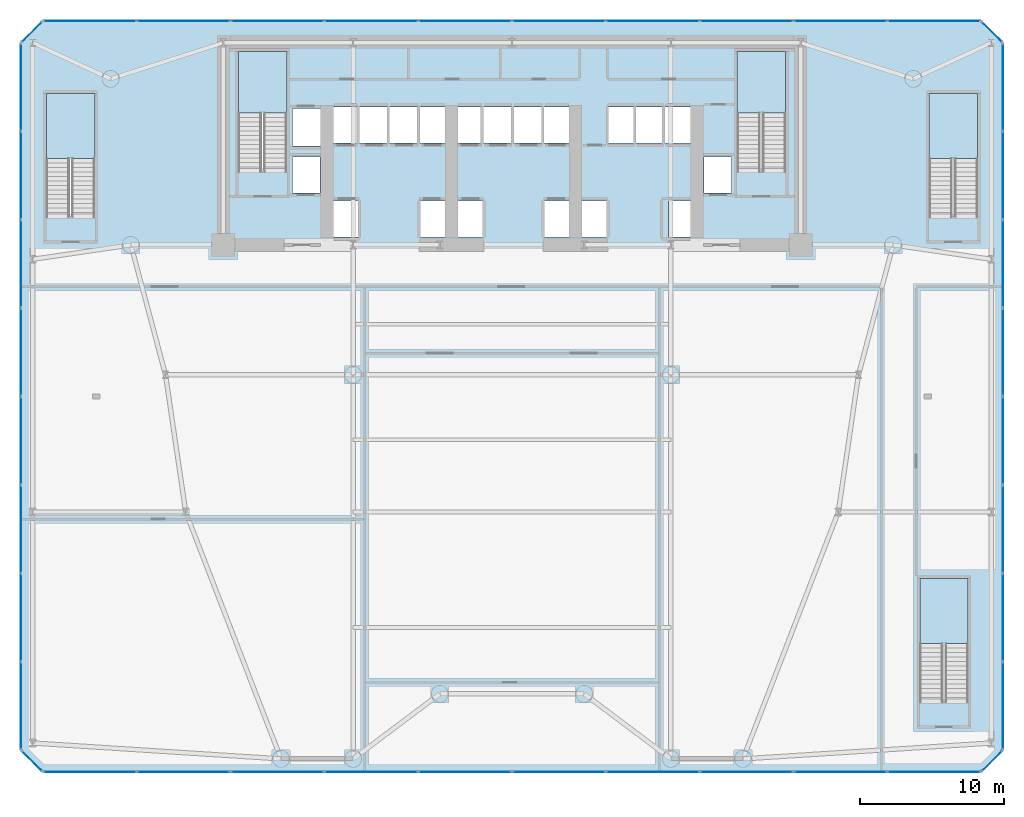
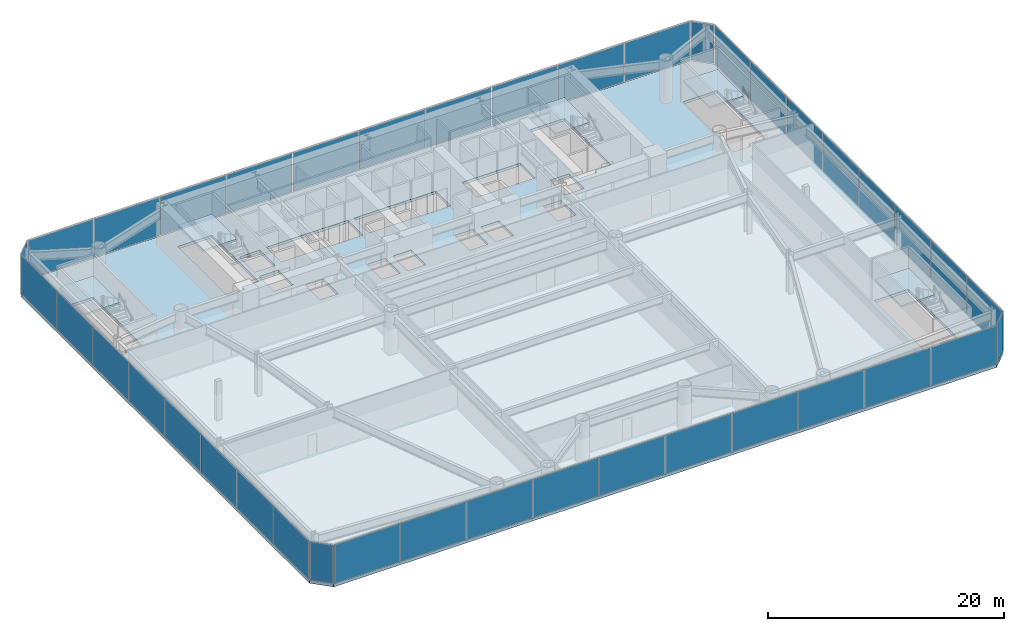
# One storey, part 12 of 24: 40 plates, 6 slabs, 13 elements without a shape of their own.
"""IFC4 building model written with IfcOpenShell, lengths in metres."""

from ifc_helpers import new_model, si_unit, direction, frame, origin, origin_2d, place, context, subcontext, project, spatial, polyline, rectangle, outline, extrude, source, transform, mapped, material, layer, layer_set, type_object, element, aggregate, save


model = new_model("IFC4")

# Units and contexts
model_context = context("Model", 3, precision=1e-05, world=origin(), true_north=direction((0.0, 1.0)))
body_context = subcontext(model_context, "Body", "Model", "MODEL_VIEW")
ifc_project = project(units=[si_unit("LENGTHUNIT", "METRE"), si_unit("AREAUNIT", "SQUARE_METRE"), si_unit("VOLUMEUNIT", "CUBIC_METRE"), si_unit("PLANEANGLEUNIT", "RADIAN"), si_unit("MASSUNIT", "GRAM", prefix="KILO")], contexts=[model_context])

# Site, building, storey
site_placement = place(None, origin())
site = spatial("IfcSite", under=ifc_project, at=site_placement, CompositionType="ELEMENT")
building_placement = place(site_placement, origin())
building = spatial("IfcBuilding", under=site, at=building_placement, Name="Vaeldorn Concourse Tower", CompositionType="ELEMENT")
storey_placement = place(building_placement, frame((0.0, 0.0, 10.0)))
storey = spatial("IfcBuildingStorey", under=building, at=storey_placement, Name="L02", CompositionType="ELEMENT", Elevation=10.0)

# Slab
ifc_material_1 = material(Name="Concrete C40/50", Category="concrete")
ifc_layer_1 = layer(ifc_material_1, 0.280029296875)
ifc_layer_set_1 = layer_set([ifc_layer_1], Name="Concrete C40/50")
slab_type_1 = type_object("IfcSlabType", Name="SL-POD-280", PredefinedType="FLOOR", material=ifc_layer_set_1)
slab_1_placement = place(storey_placement, frame((0.0, 0.0, -0.280029296875)))
element("IfcSlab", 1, at=slab_1_placement, inside=storey, type_object=slab_type_1, Name="Structural Floor Slab L02", PredefinedType="FLOOR", context=body_context, shape_type="SweptSolid", body=[
    extrude(outline(polyline([(1.5, 0.0), (66.5, 0.0), (68.0, 1.5), (68.0, 50.5), (66.5, 52.0), (1.5, 52.0), (0.0, 50.5), (0.0, 1.5), (1.5, 0.0)]), holes=[polyline([(18.39990234375, 42.0), (18.39990234375, 49.89990234375), (15.050048828125, 49.89990234375), (15.050048828125, 41.60009765625), (16.800048828125, 41.60009765625), (16.800048828125, 42.0), (18.39990234375, 42.0)]), polyline([(52.949951171875, 42.0), (52.949951171875, 49.89990234375), (49.60009765625, 49.89990234375), (49.60009765625, 41.60009765625), (51.35009765625, 41.60009765625), (51.35009765625, 42.0), (52.949951171875, 42.0)]), polyline([(5.10009765625, 38.85009765625), (5.10009765625, 47.0), (1.75, 47.0), (1.75, 38.449951171875), (3.5, 38.449951171875), (3.5, 38.85009765625), (5.10009765625, 38.85009765625)]), polyline([(66.25, 38.85009765625), (66.25, 47.0), (62.89990234375, 47.0), (62.89990234375, 38.449951171875), (64.64990234375, 38.449951171875), (64.64990234375, 38.85009765625), (66.25, 38.85009765625)]), polyline([(65.60009765625, 5.25), (65.60009765625, 13.39990234375), (62.25, 13.39990234375), (62.25, 4.85009765625), (64.0, 4.85009765625), (64.0, 5.25), (65.60009765625, 5.25)]), polyline([(21.550048828125, 37.050048828125), (23.35009765625, 37.050048828125), (23.35009765625, 39.550048828125), (21.550048828125, 39.550048828125), (21.550048828125, 37.050048828125)]), polyline([(27.64990234375, 37.050048828125), (29.449951171875, 37.050048828125), (29.449951171875, 39.550048828125), (27.64990234375, 39.550048828125), (27.64990234375, 37.050048828125)]), polyline([(21.5, 43.550048828125), (29.5, 43.550048828125), (29.5, 46.050048828125), (21.5, 46.050048828125), (21.5, 43.550048828125)]), polyline([(30.14990234375, 37.050048828125), (31.949951171875, 37.050048828125), (31.949951171875, 39.550048828125), (30.14990234375, 39.550048828125), (30.14990234375, 37.050048828125)]), polyline([(36.25, 37.050048828125), (38.050048828125, 37.050048828125), (38.050048828125, 39.550048828125), (36.25, 39.550048828125), (36.25, 37.050048828125)]), polyline([(30.10009765625, 43.550048828125), (38.10009765625, 43.550048828125), (38.10009765625, 46.050048828125), (30.10009765625, 46.050048828125), (30.10009765625, 43.550048828125)]), polyline([(38.75, 37.050048828125), (40.550048828125, 37.050048828125), (40.550048828125, 39.550048828125), (38.75, 39.550048828125), (38.75, 37.050048828125)]), polyline([(44.85009765625, 37.050048828125), (46.64990234375, 37.050048828125), (46.64990234375, 39.550048828125), (44.85009765625, 39.550048828125), (44.85009765625, 37.050048828125)]), polyline([(40.699951171875, 43.550048828125), (46.39990234375, 43.550048828125), (46.39990234375, 46.050048828125), (40.699951171875, 46.050048828125), (40.699951171875, 43.550048828125)]), polyline([(18.800048828125, 43.35009765625), (20.800048828125, 43.35009765625), (20.800048828125, 45.949951171875), (18.800048828125, 45.949951171875), (18.800048828125, 43.35009765625)]), polyline([(18.800048828125, 40.10009765625), (20.699951171875, 40.10009765625), (20.699951171875, 42.60009765625), (18.800048828125, 42.60009765625), (18.800048828125, 40.10009765625)]), polyline([(47.300048828125, 40.10009765625), (49.199951171875, 40.10009765625), (49.199951171875, 42.60009765625), (47.300048828125, 42.60009765625), (47.300048828125, 40.10009765625)])]), origin(), (0.0, 0.0, 1.0), 0.280029296875),
])

# Stair, slab
ifc_material_2 = material(Name="Precast concrete C40/50", Category="concrete")
stair_type = type_object("IfcStairType", Name="STR-DOG-28x157", PredefinedType="HALF_TURN_STAIR", material=ifc_material_2)
stair_1_placement = place(storey_placement, origin())
stair_1 = element("IfcStair", 2, at=stair_1_placement, inside=storey, type_object=stair_type, Name="L02 West Core Exit Stair ST-1", PredefinedType="HALF_TURN_STAIR")
ifc_layer_2 = layer(ifc_material_1, 0.199951171875)
ifc_layer_set_2 = layer_set([ifc_layer_2], Name="Concrete C40/50")
slab_type_2 = type_object("IfcSlabType", Name="SL-STAIR-LANDING", PredefinedType="LANDING", material=ifc_layer_set_2)
slab_2_placement = place(storey_placement, frame((0.0, 0.0, 2.0)))
slab_2 = element("IfcSlab", 3, at=slab_2_placement, type_object=slab_type_2, Name="ST-1 landing 1", PredefinedType="LANDING", context=body_context, shape_type="SweptSolid", body=[
    extrude(outline(polyline([(18.39990234375, 45.6298828125), (18.39990234375, 49.89990234375), (15.050048828125, 49.89990234375), (15.050048828125, 45.6298828125), (18.39990234375, 45.6298828125)])), origin(), (0.0, 0.0, 1.0), 0.199951171875),
])
aggregate(stair_1, [slab_2])

stair_2_placement = place(storey_placement, origin())
stair_2 = element("IfcStair", 4, at=stair_2_placement, inside=storey, type_object=stair_type, Name="L02 East Core Exit Stair ST-2", PredefinedType="HALF_TURN_STAIR")
slab_3_placement = place(storey_placement, frame((0.0, 0.0, 2.0)))
slab_3 = element("IfcSlab", 5, at=slab_3_placement, type_object=slab_type_2, Name="ST-2 landing 1", PredefinedType="LANDING", context=body_context, shape_type="SweptSolid", body=[
    extrude(outline(polyline([(52.949951171875, 45.6298828125), (52.949951171875, 49.89990234375), (49.60009765625, 49.89990234375), (49.60009765625, 45.6298828125), (52.949951171875, 45.6298828125)])), origin(), (0.0, 0.0, 1.0), 0.199951171875),
])
aggregate(stair_2, [slab_3])

stair_3_placement = place(storey_placement, origin())
stair_3 = element("IfcStair", 6, at=stair_3_placement, inside=storey, type_object=stair_type, Name="L02 Station West Exit Stair ST-3", PredefinedType="HALF_TURN_STAIR")
slab_4_placement = place(storey_placement, frame((0.0, 0.0, 2.0)))
slab_4 = element("IfcSlab", 7, at=slab_4_placement, type_object=slab_type_2, Name="ST-3 landing 1", PredefinedType="LANDING", context=body_context, shape_type="SweptSolid", body=[
    extrude(outline(polyline([(5.10009765625, 42.47998046875), (5.10009765625, 47.0), (1.75, 47.0), (1.75, 42.47998046875), (5.10009765625, 42.47998046875)])), origin(), (0.0, 0.0, 1.0), 0.199951171875),
])
aggregate(stair_3, [slab_4])

stair_4_placement = place(storey_placement, origin())
stair_4 = element("IfcStair", 8, at=stair_4_placement, inside=storey, type_object=stair_type, Name="L02 Station East Exit Stair ST-4", PredefinedType="HALF_TURN_STAIR")
slab_5_placement = place(storey_placement, frame((0.0, 0.0, 2.0)))
slab_5 = element("IfcSlab", 9, at=slab_5_placement, type_object=slab_type_2, Name="ST-4 landing 1", PredefinedType="LANDING", context=body_context, shape_type="SweptSolid", body=[
    extrude(outline(polyline([(66.25, 42.47998046875), (66.25, 47.0), (62.89990234375, 47.0), (62.89990234375, 42.47998046875), (66.25, 42.47998046875)])), origin(), (0.0, 0.0, 1.0), 0.199951171875),
])
aggregate(stair_4, [slab_5])

stair_5_placement = place(storey_placement, origin())
stair_5 = element("IfcStair", 10, at=stair_5_placement, inside=storey, type_object=stair_type, Name="L02 Podium Auditorium Exit Stair ST-5", PredefinedType="HALF_TURN_STAIR")
slab_6_placement = place(storey_placement, frame((0.0, 0.0, 2.0)))
slab_6 = element("IfcSlab", 11, at=slab_6_placement, type_object=slab_type_2, Name="ST-5 landing 1", PredefinedType="LANDING", context=body_context, shape_type="SweptSolid", body=[
    extrude(outline(polyline([(65.60009765625, 8.8798828125), (65.60009765625, 13.39990234375), (62.25, 13.39990234375), (62.25, 8.8798828125), (65.60009765625, 8.8798828125)])), origin(), (0.0, 0.0, 1.0), 0.199951171875),
])
aggregate(stair_5, [slab_6])

# Curtain wall, plates
ifc_material_3 = material(Name="Anodised Bronze Aluminium", Category="aluminium")
ifc_layer_3 = layer(ifc_material_3, 0.239990234375)
ifc_layer_set_3 = layer_set([ifc_layer_3], Name="Anodised Bronze Aluminium")
curtain_wall_type = type_object("IfcCurtainWallType", Name="CW-SYS-04", PredefinedType="NOTDEFINED", material=ifc_layer_set_3)
curtain_wall_1_placement = place(storey_placement, origin())
curtain_wall_1 = element("IfcCurtainWall", 12, at=curtain_wall_1_placement, inside=storey, type_object=curtain_wall_type, Name="Unitised Curtain Wall CW-L02-E01-1", PredefinedType="NOTDEFINED")
ifc_material_4 = material(Name="Bronze Tinted Low-E Insulated Glass", Category="glass")
ifc_layer_4 = layer(ifc_material_4, 0.031982421875)
ifc_layer_set_4 = layer_set([ifc_layer_4], Name="Bronze Tinted Low-E Insulated Glass")
plate_type = type_object("IfcPlateType", Name="CWP-VISION-32", PredefinedType="CURTAIN_PANEL", material=ifc_layer_set_4)
shared_shape_1 = source(origin(), body_context, "Body", "SweptSolid", [
    extrude(rectangle(XDim=6.387451171875, YDim=0.031982421875, at=origin_2d()), origin(), (0.0, 0.0, 1.0), 3.969970703125),
])
plate_1_placement = place(storey_placement, frame((4.768798828125, 0.0, 0.0751953125), z_axis=(0.0, 0.0, 1.0), x_axis=(1.0, 0.0, 0.0)))
plate_1 = element("IfcPlate", 13, at=plate_1_placement, type_object=plate_type, Name="CW-04 panel 1.1", PredefinedType="CURTAIN_PANEL", context=body_context, shape_type="MappedRepresentation", body=[
    mapped(shared_shape_1, transform((0.0, 0.0, 0.0), scale=1.0)),
])
plate_2_placement = place(storey_placement, frame((63.231201171875, 0.0, 0.0751953125), z_axis=(0.0, 0.0, 1.0), x_axis=(1.0, 0.0, 0.0)))
plate_2 = element("IfcPlate", 14, at=plate_2_placement, type_object=plate_type, Name="CW-04 panel 10.1", PredefinedType="CURTAIN_PANEL", context=body_context, shape_type="MappedRepresentation", body=[
    mapped(shared_shape_1, transform((0.0, 0.0, 0.0), scale=1.0)),
])

curtain_wall_2_placement = place(storey_placement, origin())
curtain_wall_2 = element("IfcCurtainWall", 15, at=curtain_wall_2_placement, inside=storey, type_object=curtain_wall_type, Name="Unitised Curtain Wall CW-L02-E05-1", PredefinedType="NOTDEFINED")
plate_3_placement = place(storey_placement, frame((63.231201171875, 52.0, 0.0751953125), z_axis=(0.0, 0.0, 1.0), x_axis=(-1.0, 0.0, 0.0)))
plate_3 = element("IfcPlate", 16, at=plate_3_placement, type_object=plate_type, Name="CW-04 panel 1.1", PredefinedType="CURTAIN_PANEL", context=body_context, shape_type="MappedRepresentation", body=[
    mapped(shared_shape_1, transform((0.0, 0.0, 0.0), scale=1.0)),
])
plate_4_placement = place(storey_placement, frame((4.768798828125, 52.0, 0.0751953125), z_axis=(0.0, 0.0, 1.0), x_axis=(-1.0, 0.0, 0.0)))
plate_4 = element("IfcPlate", 17, at=plate_4_placement, type_object=plate_type, Name="CW-04 panel 10.1", PredefinedType="CURTAIN_PANEL", context=body_context, shape_type="MappedRepresentation", body=[
    mapped(shared_shape_1, transform((0.0, 0.0, 0.0), scale=1.0)),
])

# Plate
shared_shape_2 = source(origin(), body_context, "Body", "SweptSolid", [
    extrude(rectangle(XDim=6.425048828125, YDim=0.031982421875, at=origin_2d()), origin(), (0.0, 0.0, 1.0), 3.969970703125),
])
plate_5_placement = place(storey_placement, frame((11.25, 0.0, 0.0751953125), z_axis=(0.0, 0.0, 1.0), x_axis=(1.0, 0.0, 0.0)))
plate_5 = element("IfcPlate", 18, at=plate_5_placement, type_object=plate_type, Name="CW-04 panel 2.1", PredefinedType="CURTAIN_PANEL", context=body_context, shape_type="MappedRepresentation", body=[
    mapped(shared_shape_2, transform((0.0, 0.0, 0.0), scale=1.0)),
])

plate_6_placement = place(storey_placement, frame((17.75, 0.0, 0.0751953125), z_axis=(0.0, 0.0, 1.0), x_axis=(1.0, 0.0, 0.0)))
plate_6 = element("IfcPlate", 19, at=plate_6_placement, type_object=plate_type, Name="CW-04 panel 3.1", PredefinedType="CURTAIN_PANEL", context=body_context, shape_type="MappedRepresentation", body=[
    mapped(shared_shape_2, transform((0.0, 0.0, 0.0), scale=1.0)),
])

plate_7_placement = place(storey_placement, frame((24.25, 0.0, 0.0751953125), z_axis=(0.0, 0.0, 1.0), x_axis=(1.0, 0.0, 0.0)))
plate_7 = element("IfcPlate", 20, at=plate_7_placement, type_object=plate_type, Name="CW-04 panel 4.1", PredefinedType="CURTAIN_PANEL", context=body_context, shape_type="MappedRepresentation", body=[
    mapped(shared_shape_2, transform((0.0, 0.0, 0.0), scale=1.0)),
])

plate_8_placement = place(storey_placement, frame((30.75, 0.0, 0.0751953125), z_axis=(0.0, 0.0, 1.0), x_axis=(1.0, 0.0, 0.0)))
plate_8 = element("IfcPlate", 21, at=plate_8_placement, type_object=plate_type, Name="CW-04 panel 5.1", PredefinedType="CURTAIN_PANEL", context=body_context, shape_type="MappedRepresentation", body=[
    mapped(shared_shape_2, transform((0.0, 0.0, 0.0), scale=1.0)),
])

plate_9_placement = place(storey_placement, frame((37.25, 0.0, 0.0751953125), z_axis=(0.0, 0.0, 1.0), x_axis=(1.0, 0.0, 0.0)))
plate_9 = element("IfcPlate", 22, at=plate_9_placement, type_object=plate_type, Name="CW-04 panel 6.1", PredefinedType="CURTAIN_PANEL", context=body_context, shape_type="MappedRepresentation", body=[
    mapped(shared_shape_2, transform((0.0, 0.0, 0.0), scale=1.0)),
])

plate_10_placement = place(storey_placement, frame((43.75, 0.0, 0.0751953125), z_axis=(0.0, 0.0, 1.0), x_axis=(1.0, 0.0, 0.0)))
plate_10 = element("IfcPlate", 23, at=plate_10_placement, type_object=plate_type, Name="CW-04 panel 7.1", PredefinedType="CURTAIN_PANEL", context=body_context, shape_type="MappedRepresentation", body=[
    mapped(shared_shape_2, transform((0.0, 0.0, 0.0), scale=1.0)),
])

plate_11_placement = place(storey_placement, frame((50.25, 0.0, 0.0751953125), z_axis=(0.0, 0.0, 1.0), x_axis=(1.0, 0.0, 0.0)))
plate_11 = element("IfcPlate", 24, at=plate_11_placement, type_object=plate_type, Name="CW-04 panel 8.1", PredefinedType="CURTAIN_PANEL", context=body_context, shape_type="MappedRepresentation", body=[
    mapped(shared_shape_2, transform((0.0, 0.0, 0.0), scale=1.0)),
])

plate_12_placement = place(storey_placement, frame((56.75, 0.0, 0.0751953125), z_axis=(0.0, 0.0, 1.0), x_axis=(1.0, 0.0, 0.0)))
plate_12 = element("IfcPlate", 25, at=plate_12_placement, type_object=plate_type, Name="CW-04 panel 9.1", PredefinedType="CURTAIN_PANEL", context=body_context, shape_type="MappedRepresentation", body=[
    mapped(shared_shape_2, transform((0.0, 0.0, 0.0), scale=1.0)),
])

aggregate(curtain_wall_1, [plate_1, plate_5, plate_6, plate_7, plate_8, plate_9, plate_10, plate_11, plate_12, plate_2])

plate_13_placement = place(storey_placement, frame((56.75, 52.0, 0.0751953125), z_axis=(0.0, 0.0, 1.0), x_axis=(-1.0, 0.0, 0.0)))
plate_13 = element("IfcPlate", 26, at=plate_13_placement, type_object=plate_type, Name="CW-04 panel 2.1", PredefinedType="CURTAIN_PANEL", context=body_context, shape_type="MappedRepresentation", body=[
    mapped(shared_shape_2, transform((0.0, 0.0, 0.0), scale=1.0)),
])

plate_14_placement = place(storey_placement, frame((50.25, 52.0, 0.0751953125), z_axis=(0.0, 0.0, 1.0), x_axis=(-1.0, 0.0, 0.0)))
plate_14 = element("IfcPlate", 27, at=plate_14_placement, type_object=plate_type, Name="CW-04 panel 3.1", PredefinedType="CURTAIN_PANEL", context=body_context, shape_type="MappedRepresentation", body=[
    mapped(shared_shape_2, transform((0.0, 0.0, 0.0), scale=1.0)),
])

plate_15_placement = place(storey_placement, frame((43.75, 52.0, 0.0751953125), z_axis=(0.0, 0.0, 1.0), x_axis=(-1.0, 0.0, 0.0)))
plate_15 = element("IfcPlate", 28, at=plate_15_placement, type_object=plate_type, Name="CW-04 panel 4.1", PredefinedType="CURTAIN_PANEL", context=body_context, shape_type="MappedRepresentation", body=[
    mapped(shared_shape_2, transform((0.0, 0.0, 0.0), scale=1.0)),
])

plate_16_placement = place(storey_placement, frame((37.25, 52.0, 0.0751953125), z_axis=(0.0, 0.0, 1.0), x_axis=(-1.0, 0.0, 0.0)))
plate_16 = element("IfcPlate", 29, at=plate_16_placement, type_object=plate_type, Name="CW-04 panel 5.1", PredefinedType="CURTAIN_PANEL", context=body_context, shape_type="MappedRepresentation", body=[
    mapped(shared_shape_2, transform((0.0, 0.0, 0.0), scale=1.0)),
])

plate_17_placement = place(storey_placement, frame((30.75, 52.0, 0.0751953125), z_axis=(0.0, 0.0, 1.0), x_axis=(-1.0, 0.0, 0.0)))
plate_17 = element("IfcPlate", 30, at=plate_17_placement, type_object=plate_type, Name="CW-04 panel 6.1", PredefinedType="CURTAIN_PANEL", context=body_context, shape_type="MappedRepresentation", body=[
    mapped(shared_shape_2, transform((0.0, 0.0, 0.0), scale=1.0)),
])

plate_18_placement = place(storey_placement, frame((24.25, 52.0, 0.0751953125), z_axis=(0.0, 0.0, 1.0), x_axis=(-1.0, 0.0, 0.0)))
plate_18 = element("IfcPlate", 31, at=plate_18_placement, type_object=plate_type, Name="CW-04 panel 7.1", PredefinedType="CURTAIN_PANEL", context=body_context, shape_type="MappedRepresentation", body=[
    mapped(shared_shape_2, transform((0.0, 0.0, 0.0), scale=1.0)),
])

plate_19_placement = place(storey_placement, frame((17.75, 52.0, 0.0751953125), z_axis=(0.0, 0.0, 1.0), x_axis=(-1.0, 0.0, 0.0)))
plate_19 = element("IfcPlate", 32, at=plate_19_placement, type_object=plate_type, Name="CW-04 panel 8.1", PredefinedType="CURTAIN_PANEL", context=body_context, shape_type="MappedRepresentation", body=[
    mapped(shared_shape_2, transform((0.0, 0.0, 0.0), scale=1.0)),
])

plate_20_placement = place(storey_placement, frame((11.25, 52.0, 0.0751953125), z_axis=(0.0, 0.0, 1.0), x_axis=(-1.0, 0.0, 0.0)))
plate_20 = element("IfcPlate", 33, at=plate_20_placement, type_object=plate_type, Name="CW-04 panel 9.1", PredefinedType="CURTAIN_PANEL", context=body_context, shape_type="MappedRepresentation", body=[
    mapped(shared_shape_2, transform((0.0, 0.0, 0.0), scale=1.0)),
])

aggregate(curtain_wall_2, [plate_3, plate_13, plate_14, plate_15, plate_16, plate_17, plate_18, plate_19, plate_20, plate_4])

# Curtain wall, plate
curtain_wall_3_placement = place(storey_placement, origin())
curtain_wall_3 = element("IfcCurtainWall", 34, at=curtain_wall_3_placement, inside=storey, type_object=curtain_wall_type, Name="Unitised Curtain Wall CW-L02-E02-1", PredefinedType="NOTDEFINED")
shared_shape_3 = source(origin(), body_context, "Body", "SweptSolid", [
    extrude(rectangle(XDim=1.971435546875, YDim=0.031982421875, at=origin_2d()), origin(), (0.0, 0.0, 1.0), 3.969970703125),
])
plate_21_placement = place(storey_placement, frame((67.25, 0.75, 0.0751953125), z_axis=(0.0, 0.0, 1.0), x_axis=(0.707106781187, 0.707106781187, 0.0)))
plate_21 = element("IfcPlate", 35, at=plate_21_placement, type_object=plate_type, Name="CW-04 panel 1.1", PredefinedType="CURTAIN_PANEL", context=body_context, shape_type="MappedRepresentation", body=[
    mapped(shared_shape_3, transform((0.0, 0.0, 0.0), scale=1.0)),
])
aggregate(curtain_wall_3, [plate_21])

curtain_wall_4_placement = place(storey_placement, origin())
curtain_wall_4 = element("IfcCurtainWall", 36, at=curtain_wall_4_placement, inside=storey, type_object=curtain_wall_type, Name="Unitised Curtain Wall CW-L02-E04-1", PredefinedType="NOTDEFINED")
plate_22_placement = place(storey_placement, frame((67.25, 51.25, 0.0751953125), z_axis=(0.0, 0.0, 1.0), x_axis=(-0.707106781187, 0.707106781187, 0.0)))
plate_22 = element("IfcPlate", 37, at=plate_22_placement, type_object=plate_type, Name="CW-04 panel 1.1", PredefinedType="CURTAIN_PANEL", context=body_context, shape_type="MappedRepresentation", body=[
    mapped(shared_shape_3, transform((0.0, 0.0, 0.0), scale=1.0)),
])
aggregate(curtain_wall_4, [plate_22])

curtain_wall_5_placement = place(storey_placement, origin())
curtain_wall_5 = element("IfcCurtainWall", 38, at=curtain_wall_5_placement, inside=storey, type_object=curtain_wall_type, Name="Unitised Curtain Wall CW-L02-E06-1", PredefinedType="NOTDEFINED")
plate_23_placement = place(storey_placement, frame((0.75, 51.25, 0.0751953125), z_axis=(0.0, 0.0, 1.0), x_axis=(-0.707106781187, -0.707106781187, 0.0)))
plate_23 = element("IfcPlate", 39, at=plate_23_placement, type_object=plate_type, Name="CW-04 panel 1.1", PredefinedType="CURTAIN_PANEL", context=body_context, shape_type="MappedRepresentation", body=[
    mapped(shared_shape_3, transform((0.0, 0.0, 0.0), scale=1.0)),
])
aggregate(curtain_wall_5, [plate_23])

curtain_wall_6_placement = place(storey_placement, origin())
curtain_wall_6 = element("IfcCurtainWall", 40, at=curtain_wall_6_placement, inside=storey, type_object=curtain_wall_type, Name="Unitised Curtain Wall CW-L02-E08-1", PredefinedType="NOTDEFINED")
plate_24_placement = place(storey_placement, frame((0.75, 0.75, 0.0751953125), z_axis=(0.0, 0.0, 1.0), x_axis=(0.707106781187, -0.707106781187, 0.0)))
plate_24 = element("IfcPlate", 41, at=plate_24_placement, type_object=plate_type, Name="CW-04 panel 1.1", PredefinedType="CURTAIN_PANEL", context=body_context, shape_type="MappedRepresentation", body=[
    mapped(shared_shape_3, transform((0.0, 0.0, 0.0), scale=1.0)),
])
aggregate(curtain_wall_6, [plate_24])

# Curtain wall, plates
curtain_wall_7_placement = place(storey_placement, origin())
curtain_wall_7 = element("IfcCurtainWall", 42, at=curtain_wall_7_placement, inside=storey, type_object=curtain_wall_type, Name="Unitised Curtain Wall CW-L02-E03-1", PredefinedType="NOTDEFINED")
shared_shape_4 = source(origin(), body_context, "Body", "SweptSolid", [
    extrude(rectangle(XDim=6.012451171875, YDim=0.031982421875, at=origin_2d()), origin(), (0.0, 0.0, 1.0), 3.969970703125),
])
plate_25_placement = place(storey_placement, frame((68.0, 4.581298828125, 0.0751953125), z_axis=(0.0, 0.0, 1.0), x_axis=(0.0, 1.0, 0.0)))
plate_25 = element("IfcPlate", 43, at=plate_25_placement, type_object=plate_type, Name="CW-04 panel 1.1", PredefinedType="CURTAIN_PANEL", context=body_context, shape_type="MappedRepresentation", body=[
    mapped(shared_shape_4, transform((0.0, 0.0, 0.0), scale=1.0)),
])
plate_26_placement = place(storey_placement, frame((68.0, 47.418701171875, 0.0751953125), z_axis=(0.0, 0.0, 1.0), x_axis=(0.0, 1.0, 0.0)))
plate_26 = element("IfcPlate", 44, at=plate_26_placement, type_object=plate_type, Name="CW-04 panel 8.1", PredefinedType="CURTAIN_PANEL", context=body_context, shape_type="MappedRepresentation", body=[
    mapped(shared_shape_4, transform((0.0, 0.0, 0.0), scale=1.0)),
])

curtain_wall_8_placement = place(storey_placement, origin())
curtain_wall_8 = element("IfcCurtainWall", 45, at=curtain_wall_8_placement, inside=storey, type_object=curtain_wall_type, Name="Unitised Curtain Wall CW-L02-E07-1", PredefinedType="NOTDEFINED")
plate_27_placement = place(storey_placement, frame((0.0, 47.418701171875, 0.0751953125), z_axis=(0.0, 0.0, 1.0), x_axis=(0.0, -1.0, 0.0)))
plate_27 = element("IfcPlate", 46, at=plate_27_placement, type_object=plate_type, Name="CW-04 panel 1.1", PredefinedType="CURTAIN_PANEL", context=body_context, shape_type="MappedRepresentation", body=[
    mapped(shared_shape_4, transform((0.0, 0.0, 0.0), scale=1.0)),
])
plate_28_placement = place(storey_placement, frame((0.0, 4.581298828125, 0.0751953125), z_axis=(0.0, 0.0, 1.0), x_axis=(0.0, -1.0, 0.0)))
plate_28 = element("IfcPlate", 47, at=plate_28_placement, type_object=plate_type, Name="CW-04 panel 8.1", PredefinedType="CURTAIN_PANEL", context=body_context, shape_type="MappedRepresentation", body=[
    mapped(shared_shape_4, transform((0.0, 0.0, 0.0), scale=1.0)),
])

# Plate
shared_shape_5 = source(origin(), body_context, "Body", "SweptSolid", [
    extrude(rectangle(XDim=6.050048828125, YDim=0.031982421875, at=origin_2d()), origin(), (0.0, 0.0, 1.0), 3.969970703125),
])
plate_29_placement = place(storey_placement, frame((68.0, 10.6875, 0.0751953125), z_axis=(0.0, 0.0, 1.0), x_axis=(0.0, 1.0, 0.0)))
plate_29 = element("IfcPlate", 48, at=plate_29_placement, type_object=plate_type, Name="CW-04 panel 2.1", PredefinedType="CURTAIN_PANEL", context=body_context, shape_type="MappedRepresentation", body=[
    mapped(shared_shape_5, transform((0.0, 0.0, 0.0), scale=1.0)),
])

plate_30_placement = place(storey_placement, frame((68.0, 16.8125, 0.0751953125), z_axis=(0.0, 0.0, 1.0), x_axis=(0.0, 1.0, 0.0)))
plate_30 = element("IfcPlate", 49, at=plate_30_placement, type_object=plate_type, Name="CW-04 panel 3.1", PredefinedType="CURTAIN_PANEL", context=body_context, shape_type="MappedRepresentation", body=[
    mapped(shared_shape_5, transform((0.0, 0.0, 0.0), scale=1.0)),
])

plate_31_placement = place(storey_placement, frame((68.0, 22.9375, 0.0751953125), z_axis=(0.0, 0.0, 1.0), x_axis=(0.0, 1.0, 0.0)))
plate_31 = element("IfcPlate", 50, at=plate_31_placement, type_object=plate_type, Name="CW-04 panel 4.1", PredefinedType="CURTAIN_PANEL", context=body_context, shape_type="MappedRepresentation", body=[
    mapped(shared_shape_5, transform((0.0, 0.0, 0.0), scale=1.0)),
])

plate_32_placement = place(storey_placement, frame((68.0, 29.0625, 0.0751953125), z_axis=(0.0, 0.0, 1.0), x_axis=(0.0, 1.0, 0.0)))
plate_32 = element("IfcPlate", 51, at=plate_32_placement, type_object=plate_type, Name="CW-04 panel 5.1", PredefinedType="CURTAIN_PANEL", context=body_context, shape_type="MappedRepresentation", body=[
    mapped(shared_shape_5, transform((0.0, 0.0, 0.0), scale=1.0)),
])

plate_33_placement = place(storey_placement, frame((68.0, 35.1875, 0.0751953125), z_axis=(0.0, 0.0, 1.0), x_axis=(0.0, 1.0, 0.0)))
plate_33 = element("IfcPlate", 52, at=plate_33_placement, type_object=plate_type, Name="CW-04 panel 6.1", PredefinedType="CURTAIN_PANEL", context=body_context, shape_type="MappedRepresentation", body=[
    mapped(shared_shape_5, transform((0.0, 0.0, 0.0), scale=1.0)),
])

plate_34_placement = place(storey_placement, frame((68.0, 41.3125, 0.0751953125), z_axis=(0.0, 0.0, 1.0), x_axis=(0.0, 1.0, 0.0)))
plate_34 = element("IfcPlate", 53, at=plate_34_placement, type_object=plate_type, Name="CW-04 panel 7.1", PredefinedType="CURTAIN_PANEL", context=body_context, shape_type="MappedRepresentation", body=[
    mapped(shared_shape_5, transform((0.0, 0.0, 0.0), scale=1.0)),
])

aggregate(curtain_wall_7, [plate_25, plate_29, plate_30, plate_31, plate_32, plate_33, plate_34, plate_26])

plate_35_placement = place(storey_placement, frame((0.0, 41.3125, 0.0751953125), z_axis=(0.0, 0.0, 1.0), x_axis=(0.0, -1.0, 0.0)))
plate_35 = element("IfcPlate", 54, at=plate_35_placement, type_object=plate_type, Name="CW-04 panel 2.1", PredefinedType="CURTAIN_PANEL", context=body_context, shape_type="MappedRepresentation", body=[
    mapped(shared_shape_5, transform((0.0, 0.0, 0.0), scale=1.0)),
])

plate_36_placement = place(storey_placement, frame((0.0, 35.1875, 0.0751953125), z_axis=(0.0, 0.0, 1.0), x_axis=(0.0, -1.0, 0.0)))
plate_36 = element("IfcPlate", 55, at=plate_36_placement, type_object=plate_type, Name="CW-04 panel 3.1", PredefinedType="CURTAIN_PANEL", context=body_context, shape_type="MappedRepresentation", body=[
    mapped(shared_shape_5, transform((0.0, 0.0, 0.0), scale=1.0)),
])

plate_37_placement = place(storey_placement, frame((0.0, 29.0625, 0.0751953125), z_axis=(0.0, 0.0, 1.0), x_axis=(0.0, -1.0, 0.0)))
plate_37 = element("IfcPlate", 56, at=plate_37_placement, type_object=plate_type, Name="CW-04 panel 4.1", PredefinedType="CURTAIN_PANEL", context=body_context, shape_type="MappedRepresentation", body=[
    mapped(shared_shape_5, transform((0.0, 0.0, 0.0), scale=1.0)),
])

plate_38_placement = place(storey_placement, frame((0.0, 22.9375, 0.0751953125), z_axis=(0.0, 0.0, 1.0), x_axis=(0.0, -1.0, 0.0)))
plate_38 = element("IfcPlate", 57, at=plate_38_placement, type_object=plate_type, Name="CW-04 panel 5.1", PredefinedType="CURTAIN_PANEL", context=body_context, shape_type="MappedRepresentation", body=[
    mapped(shared_shape_5, transform((0.0, 0.0, 0.0), scale=1.0)),
])

plate_39_placement = place(storey_placement, frame((0.0, 16.8125, 0.0751953125), z_axis=(0.0, 0.0, 1.0), x_axis=(0.0, -1.0, 0.0)))
plate_39 = element("IfcPlate", 58, at=plate_39_placement, type_object=plate_type, Name="CW-04 panel 6.1", PredefinedType="CURTAIN_PANEL", context=body_context, shape_type="MappedRepresentation", body=[
    mapped(shared_shape_5, transform((0.0, 0.0, 0.0), scale=1.0)),
])

plate_40_placement = place(storey_placement, frame((0.0, 10.6875, 0.0751953125), z_axis=(0.0, 0.0, 1.0), x_axis=(0.0, -1.0, 0.0)))
plate_40 = element("IfcPlate", 59, at=plate_40_placement, type_object=plate_type, Name="CW-04 panel 7.1", PredefinedType="CURTAIN_PANEL", context=body_context, shape_type="MappedRepresentation", body=[
    mapped(shared_shape_5, transform((0.0, 0.0, 0.0), scale=1.0)),
])

aggregate(curtain_wall_8, [plate_27, plate_35, plate_36, plate_37, plate_38, plate_39, plate_40, plate_28])

save(model, "model.ifc")
